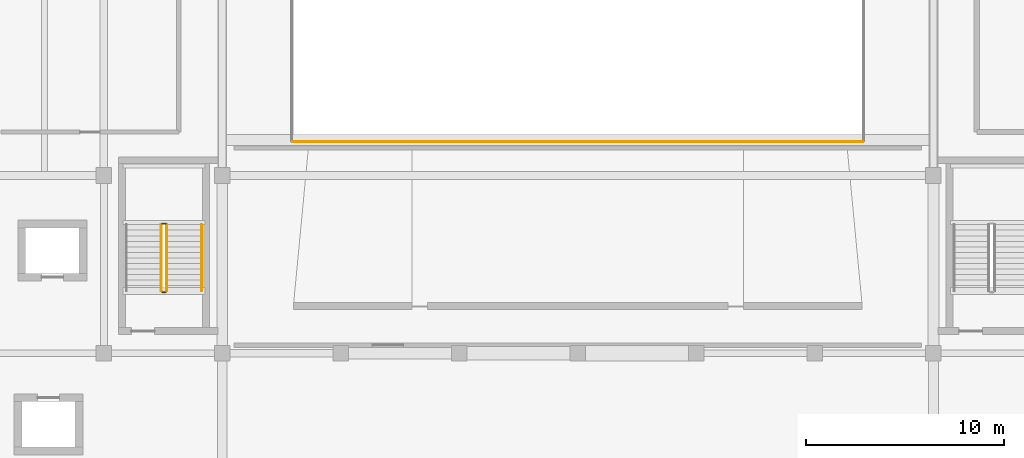
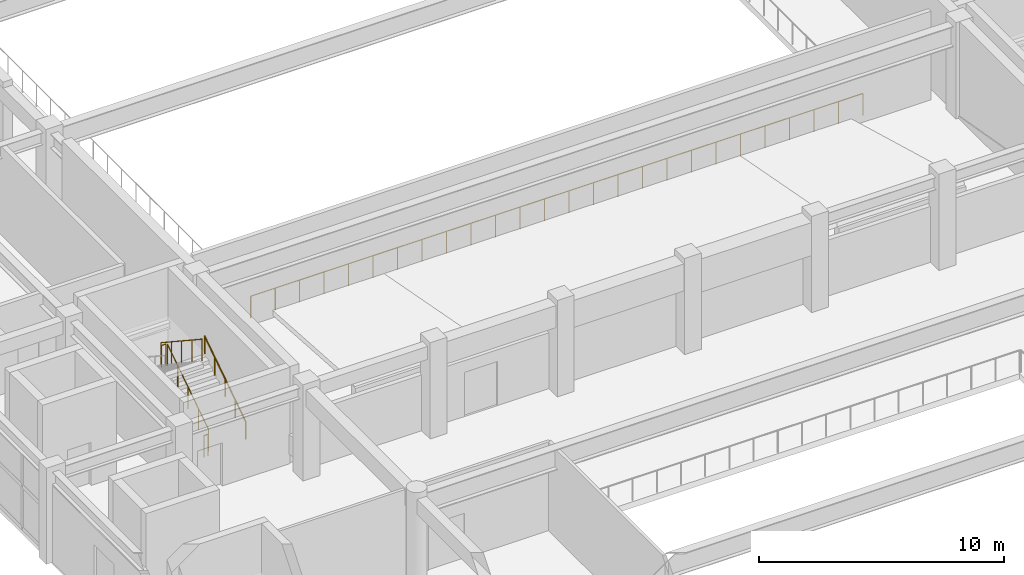
# One storey, part 88 of 96: 6 railings.
"""IFC4 building model written with IfcOpenShell, lengths in metres."""

from ifc_helpers import new_model, si_unit, direction, frame, origin, origin_2d, place, context, subcontext, project, spatial, circle, extrude, material, type_object, element, save


model = new_model("IFC4")

# Units and contexts
model_context = context("Model", 3, precision=1e-05, world=origin(), true_north=direction((0.0, 1.0)))
body_context = subcontext(model_context, "Body", "Model", "MODEL_VIEW")
ifc_project = project(units=[si_unit("LENGTHUNIT", "METRE"), si_unit("AREAUNIT", "SQUARE_METRE"), si_unit("VOLUMEUNIT", "CUBIC_METRE"), si_unit("PLANEANGLEUNIT", "RADIAN"), si_unit("MASSUNIT", "GRAM", prefix="KILO")], contexts=[model_context])

# Site, building, storey
site_placement = place(None, origin())
site = spatial("IfcSite", under=ifc_project, at=site_placement, CompositionType="ELEMENT")
building_placement = place(site_placement, origin())
building = spatial("IfcBuilding", under=site, at=building_placement, Name="Vaelkrest Opera House", CompositionType="ELEMENT")
storey_placement = place(building_placement, frame((0.0, 0.0, 5.39990234375)))
storey = spatial("IfcBuildingStorey", under=building, at=storey_placement, Name="L01", CompositionType="ELEMENT", Elevation=5.39990234375)

# Railings
ifc_material = material(Name="Dark bronze anodized aluminium", Category="aluminium")
railing_type_1 = type_object("IfcRailingType", Name="BL01", PredefinedType="BALUSTRADE", material=ifc_material)
railing_1_placement = place(storey_placement, frame((-14.43994140625, -18.080078125, 0.0)))
element("IfcRailing", 1, at=railing_1_placement, inside=storey, type_object=railing_type_1, Name="Atrium/stage void guard V1 L01-1 seg 1", PredefinedType="BALUSTRADE", context=body_context, shape_type="SweptSolid", body=[
    extrude(circle(Radius=0.02392578125, at=origin_2d()), frame((0.0, 0.0, 1.09619140625), z_axis=(1.0, 0.0, 0.0), x_axis=(0.0, 1.0, 0.0)), (0.0, 0.0, 1.0), 28.8798828125),
    extrude(circle(Radius=0.02099609375, at=origin_2d()), origin(), (0.0, 0.0, 1.0), 1.072021484375),
    extrude(circle(Radius=0.02099609375, at=origin_2d()), frame((1.1552734375, 0.0, 0.0)), (0.0, 0.0, 1.0), 1.072021484375),
    extrude(circle(Radius=0.02099609375, at=origin_2d()), frame((2.310302734375, 0.0, 0.0)), (0.0, 0.0, 1.0), 1.072021484375),
    extrude(circle(Radius=0.02099609375, at=origin_2d()), frame((3.465576171875, 0.0, 0.0)), (0.0, 0.0, 1.0), 1.072021484375),
    extrude(circle(Radius=0.02099609375, at=origin_2d()), frame((4.620849609375, 0.0, 0.0)), (0.0, 0.0, 1.0), 1.072021484375),
    extrude(circle(Radius=0.02099609375, at=origin_2d()), frame((5.77587890625, 0.0, 0.0)), (0.0, 0.0, 1.0), 1.072021484375),
    extrude(circle(Radius=0.02099609375, at=origin_2d()), frame((6.93115234375, 0.0, 0.0)), (0.0, 0.0, 1.0), 1.072021484375),
    extrude(circle(Radius=0.02099609375, at=origin_2d()), frame((8.08642578125, 0.0, 0.0)), (0.0, 0.0, 1.0), 1.072021484375),
    extrude(circle(Radius=0.02099609375, at=origin_2d()), frame((9.241455078125, 0.0, 0.0)), (0.0, 0.0, 1.0), 1.072021484375),
    extrude(circle(Radius=0.02099609375, at=origin_2d()), frame((10.396728515625, 0.0, 0.0)), (0.0, 0.0, 1.0), 1.072021484375),
    extrude(circle(Radius=0.02099609375, at=origin_2d()), frame((11.552001953125, 0.0, 0.0)), (0.0, 0.0, 1.0), 1.072021484375),
    extrude(circle(Radius=0.02099609375, at=origin_2d()), frame((12.70703125, 0.0, 0.0)), (0.0, 0.0, 1.0), 1.072021484375),
    extrude(circle(Radius=0.02099609375, at=origin_2d()), frame((13.8623046875, 0.0, 0.0)), (0.0, 0.0, 1.0), 1.072021484375),
    extrude(circle(Radius=0.02099609375, at=origin_2d()), frame((15.017578125, 0.0, 0.0)), (0.0, 0.0, 1.0), 1.072021484375),
    extrude(circle(Radius=0.02099609375, at=origin_2d()), frame((16.1728515625, 0.0, 0.0)), (0.0, 0.0, 1.0), 1.072021484375),
    extrude(circle(Radius=0.02099609375, at=origin_2d()), frame((17.327880859375, 0.0, 0.0)), (0.0, 0.0, 1.0), 1.072021484375),
    extrude(circle(Radius=0.02099609375, at=origin_2d()), frame((18.483154296875, 0.0, 0.0)), (0.0, 0.0, 1.0), 1.072021484375),
    extrude(circle(Radius=0.02099609375, at=origin_2d()), frame((19.638427734375, 0.0, 0.0)), (0.0, 0.0, 1.0), 1.072021484375),
    extrude(circle(Radius=0.02099609375, at=origin_2d()), frame((20.79345703125, 0.0, 0.0)), (0.0, 0.0, 1.0), 1.072021484375),
    extrude(circle(Radius=0.02099609375, at=origin_2d()), frame((21.94873046875, 0.0, 0.0)), (0.0, 0.0, 1.0), 1.072021484375),
    extrude(circle(Radius=0.02099609375, at=origin_2d()), frame((23.10400390625, 0.0, 0.0)), (0.0, 0.0, 1.0), 1.072021484375),
    extrude(circle(Radius=0.02099609375, at=origin_2d()), frame((24.259033203125, 0.0, 0.0)), (0.0, 0.0, 1.0), 1.072021484375),
    extrude(circle(Radius=0.02099609375, at=origin_2d()), frame((25.414306640625, 0.0, 0.0)), (0.0, 0.0, 1.0), 1.072021484375),
    extrude(circle(Radius=0.02099609375, at=origin_2d()), frame((26.569580078125, 0.0, 0.0)), (0.0, 0.0, 1.0), 1.072021484375),
    extrude(circle(Radius=0.02099609375, at=origin_2d()), frame((27.724609375, 0.0, 0.0)), (0.0, 0.0, 1.0), 1.072021484375),
    extrude(circle(Radius=0.02099609375, at=origin_2d()), frame((28.8798828125, 0.0, 0.0)), (0.0, 0.0, 1.0), 1.072021484375),
])
railing_type_2 = type_object("IfcRailingType", Name="GR02", PredefinedType="GUARDRAIL", material=ifc_material)
railing_2_placement = place(storey_placement, frame((-20.800048828125, -25.64990234375, 0.184814453125)))
element("IfcRailing", 2, at=railing_2_placement, inside=storey, type_object=railing_type_2, Name="L01 ST01 stair guard 1", PredefinedType="GUARDRAIL", context=body_context, shape_type="SweptSolid", body=[
    extrude(circle(Radius=0.02392578125, at=origin_2d()), frame((0.0, 0.0, 1.076171875), z_axis=(0.0, 0.834858096282, 0.550465220583), x_axis=(-1.0, 0.0, 0.0)), (0.0, 0.0, 1.0), 4.0244140625),
    extrude(circle(Radius=0.02099609375, at=origin_2d()), origin(), (0.0, 0.0, 1.0), 1.052001953125),
    extrude(circle(Radius=0.02099609375, at=origin_2d()), frame((0.0, 0.83984375, 0.5537109375)), (0.0, 0.0, 1.0), 1.052001953125),
    extrude(circle(Radius=0.02099609375, at=origin_2d()), frame((0.0, 1.679931640625, 1.107666015625)), (0.0, 0.0, 1.0), 1.052001953125),
    extrude(circle(Radius=0.02099609375, at=origin_2d()), frame((0.0, 2.52001953125, 1.66162109375)), (0.0, 0.0, 1.0), 1.052001953125),
    extrude(circle(Radius=0.02099609375, at=origin_2d()), frame((0.0, 3.35986328125, 2.21533203125)), (0.0, 0.0, 1.0), 1.052001953125),
])
railing_3_placement = place(storey_placement, frame((-20.85009765625, -22.239990234375, 2.400146484375)))
element("IfcRailing", 3, at=railing_3_placement, inside=storey, type_object=railing_type_2, Name="L01 ST01 stair guard 2", PredefinedType="GUARDRAIL", context=body_context, shape_type="SweptSolid", body=[
    extrude(circle(Radius=0.02392578125, at=origin_2d()), frame((0.0, 0.0, 1.076171875), z_axis=(-1.0, 0.0, 0.0), x_axis=(0.0, -1.0, 0.0)), (0.0, 0.0, 1.0), 0.199951171875),
    extrude(circle(Radius=0.02099609375, at=origin_2d()), origin(), (0.0, 0.0, 1.0), 1.052001953125),
    extrude(circle(Radius=0.02099609375, at=origin_2d()), frame((-0.199951171875, 0.0, 0.0)), (0.0, 0.0, 1.0), 1.052001953125),
])
railing_4_placement = place(storey_placement, frame((-21.10009765625, -22.2900390625, 2.584716796875)))
element("IfcRailing", 4, at=railing_4_placement, inside=storey, type_object=railing_type_2, Name="L01 ST01 stair guard 3", PredefinedType="GUARDRAIL", context=body_context, shape_type="SweptSolid", body=[
    extrude(circle(Radius=0.02392578125, at=origin_2d()), frame((0.0, 0.0, 1.076171875), z_axis=(0.0, -0.834858096282, 0.550465220583), x_axis=(1.0, 0.0, 0.0)), (0.0, 0.0, 1.0), 4.0244140625),
    extrude(circle(Radius=0.02099609375, at=origin_2d()), origin(), (0.0, 0.0, 1.0), 1.052001953125),
    extrude(circle(Radius=0.02099609375, at=origin_2d()), frame((0.0, -0.83984375, 0.5537109375)), (0.0, 0.0, 1.0), 1.052001953125),
    extrude(circle(Radius=0.02099609375, at=origin_2d()), frame((0.0, -1.679931640625, 1.107666015625)), (0.0, 0.0, 1.0), 1.052001953125),
    extrude(circle(Radius=0.02099609375, at=origin_2d()), frame((0.0, -2.52001953125, 1.66162109375)), (0.0, 0.0, 1.0), 1.052001953125),
    extrude(circle(Radius=0.02099609375, at=origin_2d()), frame((0.0, -3.35986328125, 2.21533203125)), (0.0, 0.0, 1.0), 1.052001953125),
])
railing_5_placement = place(storey_placement, frame((-20.85009765625, -25.699951171875, 0.0)))
element("IfcRailing", 5, at=railing_5_placement, inside=storey, type_object=railing_type_2, Name="L01 ST01 stair guard 4", PredefinedType="GUARDRAIL", context=body_context, shape_type="SweptSolid", body=[
    extrude(circle(Radius=0.02392578125, at=origin_2d()), frame((0.0, 0.0, 1.076171875), z_axis=(-1.0, 0.0, 0.0), x_axis=(0.0, -1.0, 0.0)), (0.0, 0.0, 1.0), 0.199951171875),
    extrude(circle(Radius=0.02099609375, at=origin_2d()), origin(), (0.0, 0.0, 1.0), 1.052001953125),
    extrude(circle(Radius=0.02099609375, at=origin_2d()), frame((-0.199951171875, 0.0, 0.0)), (0.0, 0.0, 1.0), 1.052001953125),
])
railing_type_3 = type_object("IfcRailingType", Name="HR02", PredefinedType="HANDRAIL", material=ifc_material)
railing_6_placement = place(storey_placement, frame((-19.050048828125, -25.64990234375, 0.184814453125)))
element("IfcRailing", 6, at=railing_6_placement, inside=storey, type_object=railing_type_3, Name="L01 ST01 stair handrail 1", PredefinedType="HANDRAIL", context=body_context, shape_type="SweptSolid", body=[
    extrude(circle(Radius=0.02392578125, at=origin_2d()), frame((0.0, 0.0, 0.8759765625), z_axis=(0.0, 0.834858096282, 0.550465220583), x_axis=(-1.0, 0.0, 0.0)), (0.0, 0.0, 1.0), 4.0244140625),
    extrude(circle(Radius=0.02099609375, at=origin_2d()), origin(), (0.0, 0.0, 1.0), 0.851806640625),
    extrude(circle(Radius=0.02099609375, at=origin_2d()), frame((0.0, 0.83984375, 0.5537109375)), (0.0, 0.0, 1.0), 0.851806640625),
    extrude(circle(Radius=0.02099609375, at=origin_2d()), frame((0.0, 1.679931640625, 1.107666015625)), (0.0, 0.0, 1.0), 0.851806640625),
    extrude(circle(Radius=0.02099609375, at=origin_2d()), frame((0.0, 2.52001953125, 1.66162109375)), (0.0, 0.0, 1.0), 0.851806640625),
    extrude(circle(Radius=0.02099609375, at=origin_2d()), frame((0.0, 3.35986328125, 2.21533203125)), (0.0, 0.0, 1.0), 0.851806640625),
])

save(model, "model.ifc")
